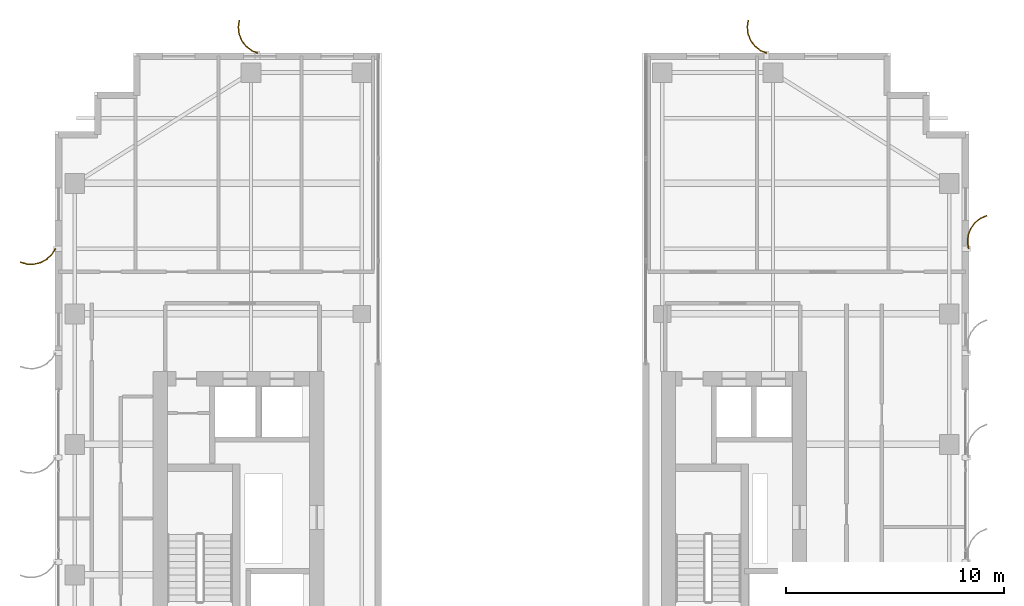
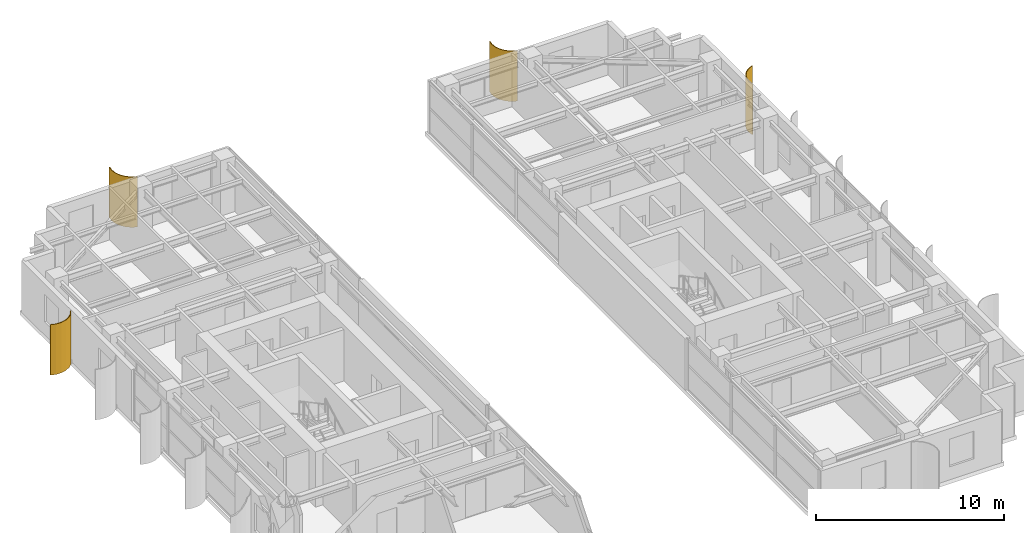
# One storey, part 22 of 22: 4 shading devices.
"""IFC4 building model written with IfcOpenShell, lengths in metres."""

from ifc_helpers import new_model, si_unit, direction, frame, origin, place, context, subcontext, project, spatial, polyline, outline, extrude, source, transform, mapped, material, layer, layer_set, type_object, element, save


model = new_model("IFC4")

# Units and contexts
model_context = context("Model", 3, precision=1e-05, world=origin(), true_north=direction((0.0, 1.0)))
body_context = subcontext(model_context, "Body", "Model", "MODEL_VIEW")
ifc_project = project(units=[si_unit("LENGTHUNIT", "METRE"), si_unit("AREAUNIT", "SQUARE_METRE"), si_unit("VOLUMEUNIT", "CUBIC_METRE"), si_unit("PLANEANGLEUNIT", "RADIAN"), si_unit("MASSUNIT", "GRAM", prefix="KILO")], contexts=[model_context])

# Site, building, storey
site_placement = place(None, origin())
site = spatial("IfcSite", under=ifc_project, at=site_placement, CompositionType="ELEMENT")
building_placement = place(site_placement, origin())
building = spatial("IfcBuilding", under=site, at=building_placement, Name="Khoralis Quay Care Tower", CompositionType="ELEMENT")
storey_placement = place(building_placement, frame((0.0, 0.0, 202.5)))
storey = spatial("IfcBuildingStorey", under=building, at=storey_placement, Name="L53", CompositionType="ELEMENT", Elevation=202.5)

# Shading devices
ifc_material = material(Name="Brushed pale anodised aluminium", Category="aluminium")
ifc_layer = layer(ifc_material, 0.044921875)
ifc_layer_set = layer_set([ifc_layer], Name="Brushed pale anodised aluminium")
shading_device_type = type_object("IfcShadingDeviceType", Name="SHD-FIN-1250", PredefinedType="USERDEFINED", material=ifc_layer_set)
shared_shape_1 = source(origin(), body_context, "Body", "SweptSolid", [
    extrude(outline(polyline([(0.0, 0.0), (0.17041015625, 0.2783203125), (0.4072265625, 0.5029296875), (0.694091796875, 0.658447265625), (1.01123046875, 0.734619140625), (1.33740234375, 0.72607421875), (1.650390625, 0.633544921875), (1.632080078125, 0.59228515625), (1.330322265625, 0.681640625), (1.015869140625, 0.68994140625), (0.710205078125, 0.616455078125), (0.43359375, 0.466552734375), (0.20556640625, 0.25), (0.041015625, -0.018310546875), (0.0, 0.0)])), origin(), (0.0, 0.0, 1.0), 3.280029296875),
])
shading_device_1_placement = place(storey_placement, frame((3.030029296875, 33.0, 0.02001953125), z_axis=(0.0, 0.0, 1.0), x_axis=(-1.0, 0.0, 0.0)))
element("IfcShadingDevice", 1, at=shading_device_1_placement, inside=storey, type_object=shading_device_type, Name="L53 Curved Solar Fin P1E7-01", ObjectType="FIN", PredefinedType="USERDEFINED", context=body_context, shape_type="MappedRepresentation", body=[
    mapped(shared_shape_1, transform((0.0, 0.0, 0.0), scale=1.0)),
])
shared_shape_2 = source(origin(), body_context, "Body", "SweptSolid", [
    extrude(outline(polyline([(0.0, 0.0), (-0.04833984375, 0.32275390625), (-0.01123046875, 0.64697265625), (0.1083984375, 0.950439453125), (0.302490234375, 1.212890625), (0.557861328125, 1.416015625), (0.85693359375, 1.546142578125), (0.869384765625, 1.5029296875), (0.5810546875, 1.37744140625), (0.334716796875, 1.181640625), (0.147705078125, 0.9287109375), (0.032470703125, 0.635986328125), (-0.003173828125, 0.323486328125), (0.043212890625, 0.012451171875), (0.0, 0.0)])), origin(), (0.0, 0.0, 1.0), 3.280029296875),
])
shading_device_2_placement = place(storey_placement, frame((44.969970703125, 33.0, 0.02001953125), z_axis=(0.0, 0.0, 1.0), x_axis=(1.0, 0.0, 0.0)))
element("IfcShadingDevice", 2, at=shading_device_2_placement, inside=storey, type_object=shading_device_type, Name="L53 Curved Solar Fin P2E5-06", ObjectType="FIN", PredefinedType="USERDEFINED", context=body_context, shape_type="MappedRepresentation", body=[
    mapped(shared_shape_2, transform((0.0, 0.0, 0.0), scale=1.0)),
])
shared_shape_3 = source(origin(), body_context, "Body", "SweptSolid", [
    extrude(outline(polyline([(0.0, 0.0), (0.130126953125, 0.29931640625), (0.333251953125, 0.5546875), (0.595458984375, 0.748779296875), (0.899169921875, 0.868408203125), (1.223388671875, 0.9052734375), (1.546142578125, 0.85693359375), (1.53369140625, 0.813720703125), (1.22265625, 0.8603515625), (0.91015625, 0.82470703125), (0.617431640625, 0.70947265625), (0.364501953125, 0.522216796875), (0.168701171875, 0.276123046875), (0.043212890625, -0.012451171875), (0.0, 0.0)])), origin(), (0.0, 0.0, 1.0), 3.280029296875),
])
for number, where, z_axis, x_axis, name in (
    (3, (12.300048828125, 41.969970703125, 0.02001953125), (0.0, 0.0, 1.0), (0.0, 1.0, 0.0), "L53 Curved Solar Fin P1E2-01"),
    (4, (35.699951171875, 41.969970703125, 0.02001953125), (0.0, 0.0, 1.0), (0.0, 1.0, 0.0), "L53 Curved Solar Fin P2E10-01"),
):
    element("IfcShadingDevice", number, at=place(storey_placement, frame(where, z_axis=z_axis, x_axis=x_axis)), inside=storey, type_object=shading_device_type, Name=name, ObjectType="FIN", PredefinedType="USERDEFINED", context=body_context, shape_type="MappedRepresentation", body=[
        mapped(shared_shape_3, transform((0.0, 0.0, 0.0), scale=1.0)),
    ])

save(model, "model.ifc")
